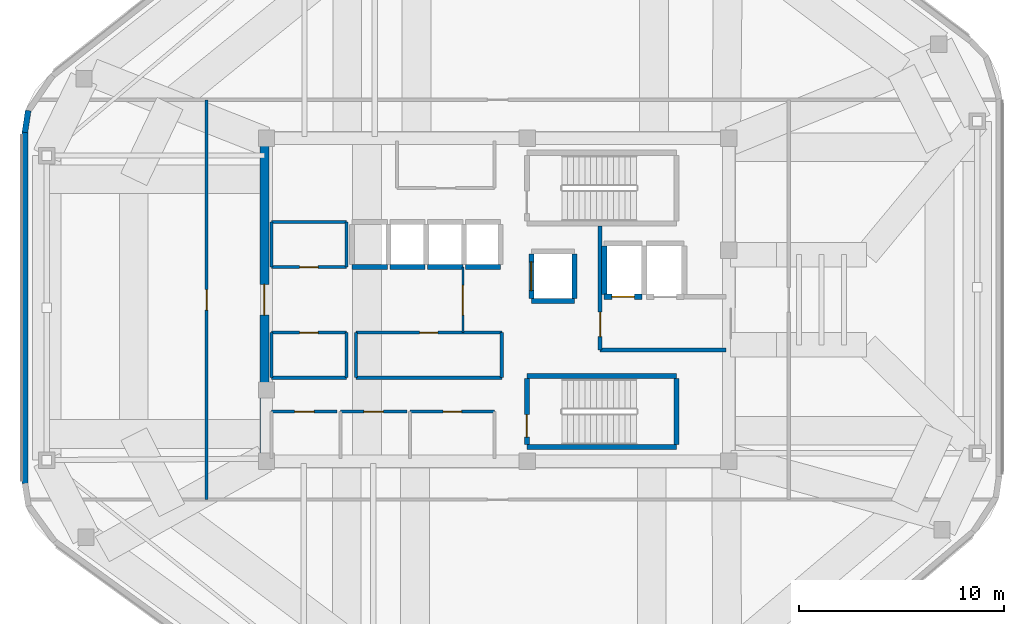
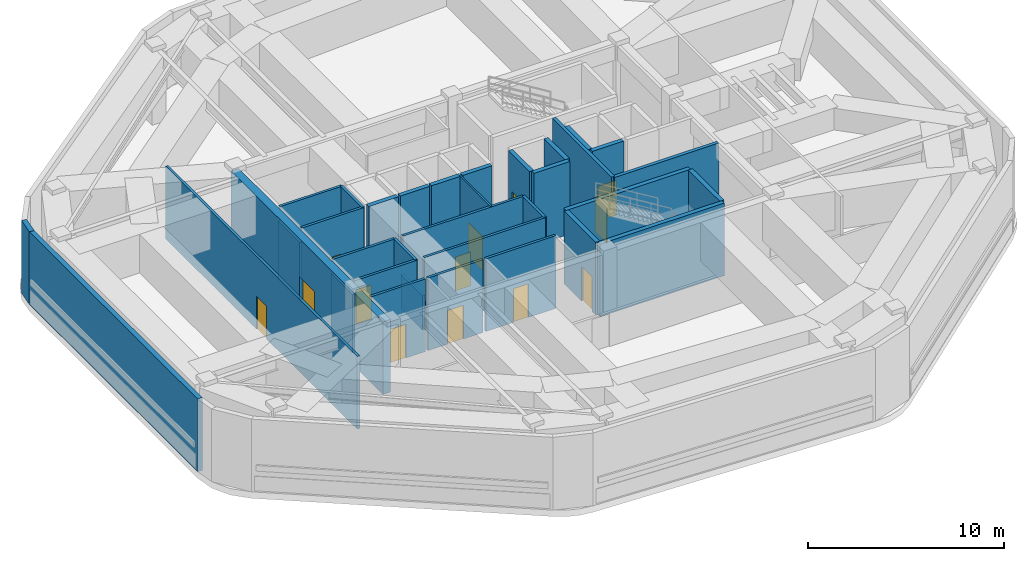
# One storey, part 3 of 7: 35 walls, 13 doors, 13 openings.
"""IFC4 building model written with IfcOpenShell, lengths in metres."""

from ifc_helpers import new_model, si_unit, direction, frame, frame_2d, origin, place, context, subcontext, project, spatial, rectangle, extrude, material, layer, layer_set, type_object, element, fill, save


model = new_model("IFC4")

# Units and contexts
model_context = context("Model", 3, precision=1e-05, world=origin(), true_north=direction((0.0, 1.0)))
body_context = subcontext(model_context, "Body", "Model", "MODEL_VIEW")
ifc_project = project(units=[si_unit("LENGTHUNIT", "METRE"), si_unit("AREAUNIT", "SQUARE_METRE"), si_unit("VOLUMEUNIT", "CUBIC_METRE"), si_unit("PLANEANGLEUNIT", "RADIAN"), si_unit("MASSUNIT", "GRAM", prefix="KILO")], contexts=[model_context])

# Site, building, storey
site_placement = place(None, origin())
site = spatial("IfcSite", under=ifc_project, at=site_placement, CompositionType="ELEMENT")
building_placement = place(site_placement, origin())
building = spatial("IfcBuilding", under=site, at=building_placement, Name="Zulverin Broadcast Headquarters", CompositionType="ELEMENT")
storey_placement = place(building_placement, frame((0.0, 0.0, 308.60009765625)))
storey = spatial("IfcBuildingStorey", under=building, at=storey_placement, Name="L79", CompositionType="ELEMENT", Elevation=308.60009765625)

# Wall, opening, door
ifc_material_1 = material(Name="Concrete C50/60", Category="concrete")
ifc_layer_1 = layer(ifc_material_1, 0.449951171875, Name="Concrete C50/60", Category="concrete")
ifc_layer_set_1 = layer_set([ifc_layer_1], Name="Concrete C50/60")
wall_type_1 = type_object("IfcWallType", Name="WL-CORE-450", PredefinedType="SHEAR", material=ifc_layer_set_1)
wall_1_placement = place(storey_placement, frame((25.625, 17.449951171875, 0.0), z_axis=(0.0, 0.0, 1.0), x_axis=(0.0, 1.0, 0.0)))
wall_1 = element("IfcWall", 1, at=wall_1_placement, inside=storey, type_object=wall_type_1, Name="L79 Core West Shear Wall", PredefinedType="SHEAR", context=body_context, shape_type="SweptSolid", body=[
    extrude(rectangle(XDim=15.5, YDim=0.449951171875, at=frame_2d((7.75, 0.0))), origin(), (0.0, 0.0, 1.0), 4.52001953125),
])
opening_1_placement = place(wall_1_placement, frame((7.0, 0.0, 0.0)))
opening_1 = element("IfcOpeningElement", 2, at=opening_1_placement, cuts=wall_1, Name="Opening D-L79-CW1", PredefinedType="OPENING", context=body_context, shape_type="SweptSolid", body=[
    extrude(rectangle(XDim=1.5, YDim=2.14990234375, at=frame_2d((0.75, 1.074951171875))), frame((0.0, 0.23486328125, 0.0), z_axis=(0.0, -1.0, 0.0), x_axis=(1.0, 0.0, 0.0)), (0.0, 0.0, 1.0), 0.469970703125),
])
ifc_material_2 = material(Name="Fire-rated glazed steel frame", Category="steel")
door_type_1 = type_object("IfcDoorType", Name="DR-COR-1500", OperationType="DOUBLE_DOOR_SINGLE_SWING", PredefinedType="DOOR", material=ifc_material_2)
door_1_placement = place(opening_1_placement, origin())
door_1 = element("IfcDoor", 3, at=door_1_placement, inside=storey, type_object=door_type_1, Name="L79 Central Lift Lobby West Portal Door", OperationType="DOUBLE_DOOR_SINGLE_SWING", OverallHeight=2.14990234375, OverallWidth=1.5, PredefinedType="DOOR", context=body_context, shape_type="SweptSolid", body=[
    extrude(rectangle(XDim=1.5, YDim=2.14990234375, at=frame_2d((0.75, 1.074951171875))), frame((0.0, 0.02490234375, 0.0), z_axis=(0.0, -1.0, 0.0), x_axis=(1.0, 0.0, 0.0)), (0.0, 0.0, 1.0), 0.050048828125),
])
fill(opening_1, door_1)

# Walls
ifc_material_3 = material(Name="Insulated pale-metal clad concrete spandrel C40/50", Category="concrete")
ifc_layer_2 = layer(ifc_material_3, 0.280029296875, Name="Insulated pale-metal clad concrete spandrel C40/50", Category="concrete")
ifc_layer_set_2 = layer_set([ifc_layer_2], Name="Insulated pale-metal clad concrete spandrel C40/50")
wall_type_2 = type_object("IfcWallType", Name="WL-EXT-280", PredefinedType="STANDARD", material=ifc_layer_set_2)
wall_2_placement = place(storey_placement, frame((13.93994140625, 33.385986328125, 0.0), z_axis=(0.0, 0.0, 1.0), x_axis=(0.0, -1.0, 0.0)))
element("IfcWall", 4, at=wall_2_placement, inside=storey, type_object=wall_type_2, Name="L79 Pale-Metal Clad Spandrel Wall 7", PredefinedType="STANDARD", context=body_context, shape_type="SweptSolid", body=[
    extrude(rectangle(XDim=17.15283203125, YDim=0.280029296875, at=frame_2d((8.576416015625, 0.0))), origin(), (0.0, 0.0, 1.0), 4.52001953125),
])
wall_3_placement = place(storey_placement, frame((14.100830078125, 34.4345703125, 0.0), z_axis=(0.0, 0.0, 1.0), x_axis=(-0.150072778638, -0.988674952202, 0.0)))
element("IfcWall", 5, at=wall_3_placement, inside=storey, type_object=wall_type_2, Name="L79 Wind-Shaped Corner Spandrel Wall 6-2", PredefinedType="STANDARD", context=body_context, shape_type="SweptSolid", body=[
    extrude(rectangle(XDim=1.081787109375, YDim=0.280029296875, at=frame_2d((0.541015625, 0.0))), origin(), (0.0, 0.0, 1.0), 4.52001953125),
])

# Wall, opening, door
ifc_material_4 = material(Name="Concrete C40/50", Category="concrete")
ifc_layer_3 = layer(ifc_material_4, 0.199951171875, Name="Concrete C40/50", Category="concrete")
ifc_layer_set_3 = layer_set([ifc_layer_3], Name="Concrete C40/50")
wall_type_3 = type_object("IfcWallType", Name="WL-FFL-200", PredefinedType="SOLIDWALL", material=ifc_layer_set_3)
wall_4_placement = place(storey_placement, frame((42.0, 22.75, 0.0), z_axis=(0.0, 0.0, 1.0), x_axis=(0.0, 1.0, 0.0)))
wall_4 = element("IfcWall", 6, at=wall_4_placement, inside=storey, type_object=wall_type_3, Name="L79 Firefighting Lift Lobby West Wall", PredefinedType="SOLIDWALL", context=body_context, shape_type="SweptSolid", body=[
    extrude(rectangle(XDim=6.050048828125, YDim=0.199951171875, at=frame_2d((3.02490234375, 0.0))), origin(), (0.0, 0.0, 1.0), 4.52001953125),
])
opening_2_placement = place(wall_4_placement, frame((0.64990234375, 0.0, 0.0)))
opening_2 = element("IfcOpeningElement", 7, at=opening_2_placement, cuts=wall_4, Name="Opening D-L79-FFLW", PredefinedType="OPENING", context=body_context, shape_type="SweptSolid", body=[
    extrude(rectangle(XDim=1.199951171875, YDim=2.14990234375, at=frame_2d((0.60009765625, 1.074951171875))), frame((0.0, 0.10986328125, 0.0), z_axis=(0.0, -1.0, 0.0), x_axis=(1.0, 0.0, 0.0)), (0.0, 0.0, 1.0), 0.219970703125),
])
ifc_material_5 = material(Name="Fire-rated steel leaf and frame", Category="steel")
door_type_2 = type_object("IfcDoorType", Name="DR-FFL-1200", OperationType="SINGLE_SWING_RIGHT", PredefinedType="DOOR", material=ifc_material_5)
door_2_placement = place(opening_2_placement, origin())
door_2 = element("IfcDoor", 8, at=door_2_placement, inside=storey, type_object=door_type_2, Name="L79 Firefighting Lift Lobby Door", OperationType="SINGLE_SWING_RIGHT", OverallHeight=2.14990234375, OverallWidth=1.199951171875, PredefinedType="DOOR", context=body_context, shape_type="SweptSolid", body=[
    extrude(rectangle(XDim=1.199951171875, YDim=2.14990234375, at=frame_2d((0.60009765625, 1.074951171875))), frame((0.0, 0.02490234375, 0.0), z_axis=(0.0, -1.0, 0.0), x_axis=(1.0, 0.0, 0.0)), (0.0, 0.0, 1.0), 0.050048828125),
])
fill(opening_2, door_2)

# Wall
wall_5_placement = place(storey_placement, frame((42.0, 22.75, 0.0), z_axis=(0.0, 0.0, 1.0), x_axis=(1.0, 0.0, 0.0)))
element("IfcWall", 9, at=wall_5_placement, inside=storey, type_object=wall_type_3, Name="L79 Firefighting Lift Lobby South Wall", PredefinedType="SOLIDWALL", context=body_context, shape_type="SweptSolid", body=[
    extrude(rectangle(XDim=6.14990234375, YDim=0.199951171875, at=frame_2d((3.074951171875, 0.0))), origin(), (0.0, 0.0, 1.0), 4.52001953125),
])

# Wall, opening, door
ifc_material_6 = material(Name="Fire-rated acoustic laminated glass screen", Category="glass")
ifc_layer_4 = layer(ifc_material_6, 0.10009765625, Name="Fire-rated acoustic laminated glass screen", Category="glass")
ifc_layer_set_4 = layer_set([ifc_layer_4], Name="Fire-rated acoustic laminated glass screen")
wall_type_4 = type_object("IfcWallType", Name="WL-GLAZ-100", PredefinedType="PARTITIONING", material=ifc_layer_set_4)
wall_6_placement = place(storey_placement, frame((35.300048828125, 23.60009765625, 0.0), z_axis=(0.0, 0.0, 1.0), x_axis=(0.0, 1.0, 0.0)))
wall_6 = element("IfcWall", 10, at=wall_6_placement, inside=storey, type_object=wall_type_4, Name="L79 Central Core Smoke Vestibule Screen", PredefinedType="PARTITIONING", context=body_context, shape_type="SweptSolid", body=[
    extrude(rectangle(XDim=3.199951171875, YDim=0.10009765625, at=frame_2d((1.60009765625, 0.0))), origin(), (0.0, 0.0, 1.0), 4.52001953125),
])
opening_3_placement = place(wall_6_placement, frame((0.85009765625, 0.0, 0.0)))
opening_3 = element("IfcOpeningElement", 11, at=opening_3_placement, cuts=wall_6, Name="Opening D-L79-CL2", PredefinedType="OPENING", context=body_context, shape_type="SweptSolid", body=[
    extrude(rectangle(XDim=1.449951171875, YDim=2.1201171875, at=frame_2d((0.72509765625, 1.06005859375))), frame((0.0, 0.06005859375, 0.0), z_axis=(0.0, -1.0, 0.0), x_axis=(1.0, 0.0, 0.0)), (0.0, 0.0, 1.0), 0.1201171875),
])
ifc_material_7 = material(Name="Fire-rated acoustic glazed double leaf", Category="glass")
door_type_3 = type_object("IfcDoorType", Name="DR-GLZ-1450", OperationType="DOUBLE_DOOR_SINGLE_SWING", PredefinedType="DOOR", material=ifc_material_7)
door_3_placement = place(opening_3_placement, origin())
door_3 = element("IfcDoor", 12, at=door_3_placement, inside=storey, type_object=door_type_3, Name="L79 Central Core Smoke Vestibule Door", OperationType="DOUBLE_DOOR_SINGLE_SWING", OverallHeight=2.1201171875, OverallWidth=1.449951171875, PredefinedType="DOOR", context=body_context, shape_type="SweptSolid", body=[
    extrude(rectangle(XDim=1.449951171875, YDim=2.1201171875, at=frame_2d((0.72509765625, 1.06005859375))), frame((0.0, 0.02490234375, 0.0), z_axis=(0.0, -1.0, 0.0), x_axis=(1.0, 0.0, 0.0)), (0.0, 0.0, 1.0), 0.050048828125),
])
fill(opening_3, door_3)

ifc_material_8 = material(Name="Fire-rated gypsum stud partition", Category="gypsum")
ifc_layer_5 = layer(ifc_material_8, 0.14990234375, Name="Fire-rated gypsum stud partition", Category="gypsum")
ifc_layer_set_5 = layer_set([ifc_layer_5], Name="Fire-rated gypsum stud partition")
wall_type_5 = type_object("IfcWallType", Name="WL-PART-150", PredefinedType="PARTITIONING", material=ifc_layer_set_5)
wall_7_placement = place(storey_placement, frame((25.969970703125, 19.75, 0.0), z_axis=(0.0, 0.0, 1.0), x_axis=(1.0, 0.0, 0.0)))
wall_7 = element("IfcWall", 13, at=wall_7_placement, inside=storey, type_object=wall_type_5, Name="L79 Core Male WC Front Wall", PredefinedType="PARTITIONING", context=body_context, shape_type="SweptSolid", body=[
    extrude(rectangle(XDim=3.199951171875, YDim=0.14990234375, at=frame_2d((1.60009765625, 0.0))), origin(), (0.0, 0.0, 1.0), 4.52001953125),
])
opening_4_placement = place(wall_7_placement, frame((1.125, 0.0, 0.0)))
opening_4 = element("IfcOpeningElement", 14, at=opening_4_placement, cuts=wall_7, Name="Opening D-L79-SC1", PredefinedType="OPENING", context=body_context, shape_type="SweptSolid", body=[
    extrude(rectangle(XDim=0.949951171875, YDim=2.10009765625, at=frame_2d((0.47509765625, 1.050048828125))), frame((0.0, 0.0849609375, 0.0), z_axis=(0.0, -1.0, 0.0), x_axis=(1.0, 0.0, 0.0)), (0.0, 0.0, 1.0), 0.169921875),
])
ifc_material_9 = material(Name="Fire-rated moisture-resistant laminate leaf", Category="wood")
door_type_4 = type_object("IfcDoorType", Name="DR-WC-950", OperationType="SINGLE_SWING_LEFT", PredefinedType="DOOR", material=ifc_material_9)
door_4_placement = place(opening_4_placement, origin())
door_4 = element("IfcDoor", 15, at=door_4_placement, inside=storey, type_object=door_type_4, Name="L79 Male WC Door", OperationType="SINGLE_SWING_RIGHT", OverallHeight=2.10009765625, OverallWidth=0.949951171875, PredefinedType="DOOR", context=body_context, shape_type="SweptSolid", body=[
    extrude(rectangle(XDim=0.949951171875, YDim=2.10009765625, at=frame_2d((0.47509765625, 1.050048828125))), frame((0.0, 0.02490234375, 0.0), z_axis=(0.0, -1.0, 0.0), x_axis=(1.0, 0.0, 0.0)), (0.0, 0.0, 1.0), 0.050048828125),
])
fill(opening_4, door_4)

wall_8_placement = place(storey_placement, frame((29.330078125, 19.75, 0.0), z_axis=(0.0, 0.0, 1.0), x_axis=(1.0, 0.0, 0.0)))
wall_8 = element("IfcWall", 16, at=wall_8_placement, inside=storey, type_object=wall_type_5, Name="L79 Core Female WC Front Wall", PredefinedType="PARTITIONING", context=body_context, shape_type="SweptSolid", body=[
    extrude(rectangle(XDim=3.239990234375, YDim=0.14990234375, at=frame_2d((1.6201171875, 0.0))), origin(), (0.0, 0.0, 1.0), 4.52001953125),
])
opening_5_placement = place(wall_8_placement, frame((1.14501953125, 0.0, 0.0)))
opening_5 = element("IfcOpeningElement", 17, at=opening_5_placement, cuts=wall_8, Name="Opening D-L79-SC2", PredefinedType="OPENING", context=body_context, shape_type="SweptSolid", body=[
    extrude(rectangle(XDim=0.949951171875, YDim=2.10009765625, at=frame_2d((0.47509765625, 1.050048828125))), frame((0.0, 0.0849609375, 0.0), z_axis=(0.0, -1.0, 0.0), x_axis=(1.0, 0.0, 0.0)), (0.0, 0.0, 1.0), 0.169921875),
])
door_5_placement = place(opening_5_placement, origin())
door_5 = element("IfcDoor", 18, at=door_5_placement, inside=storey, type_object=door_type_4, Name="L79 Female WC Door", OperationType="SINGLE_SWING_LEFT", OverallHeight=2.10009765625, OverallWidth=0.949951171875, PredefinedType="DOOR", context=body_context, shape_type="SweptSolid", body=[
    extrude(rectangle(XDim=0.949951171875, YDim=2.10009765625, at=frame_2d((0.47509765625, 1.050048828125))), frame((0.0, 0.02490234375, 0.0), z_axis=(0.0, -1.0, 0.0), x_axis=(1.0, 0.0, 0.0)), (0.0, 0.0, 1.0), 0.050048828125),
])
fill(opening_5, door_5)

wall_9_placement = place(storey_placement, frame((32.72998046875, 19.75, 0.0), z_axis=(0.0, 0.0, 1.0), x_axis=(1.0, 0.0, 0.0)))
wall_9 = element("IfcWall", 19, at=wall_9_placement, inside=storey, type_object=wall_type_5, Name="L79 Core Cleaner Store Front Wall", PredefinedType="PARTITIONING", context=body_context, shape_type="SweptSolid", body=[
    extrude(rectangle(XDim=4.1201171875, YDim=0.14990234375, at=frame_2d((2.06005859375, 0.0))), origin(), (0.0, 0.0, 1.0), 4.52001953125),
])
opening_6_placement = place(wall_9_placement, frame((1.610107421875, 0.0, 0.0)))
opening_6 = element("IfcOpeningElement", 20, at=opening_6_placement, cuts=wall_9, Name="Opening D-L79-SC3", PredefinedType="OPENING", context=body_context, shape_type="SweptSolid", body=[
    extrude(rectangle(XDim=0.89990234375, YDim=2.10009765625, at=frame_2d((0.449951171875, 1.050048828125))), frame((0.0, 0.0849609375, 0.0), z_axis=(0.0, -1.0, 0.0), x_axis=(1.0, 0.0, 0.0)), (0.0, 0.0, 1.0), 0.169921875),
])
ifc_material_10 = material(Name="Powder-coated steel access leaf", Category="steel")
door_type_5 = type_object("IfcDoorType", Name="DR-RISER-900", OperationType="SINGLE_SWING_LEFT", PredefinedType="DOOR", material=ifc_material_10)
door_6_placement = place(opening_6_placement, origin())
door_6 = element("IfcDoor", 21, at=door_6_placement, inside=storey, type_object=door_type_5, Name="L79 Cleaner Store Door", OperationType="SINGLE_SWING_RIGHT", OverallHeight=2.10009765625, OverallWidth=0.89990234375, PredefinedType="DOOR", context=body_context, shape_type="SweptSolid", body=[
    extrude(rectangle(XDim=0.89990234375, YDim=2.10009765625, at=frame_2d((0.449951171875, 1.050048828125))), frame((0.0, 0.02490234375, 0.0), z_axis=(0.0, -1.0, 0.0), x_axis=(1.0, 0.0, 0.0)), (0.0, 0.0, 1.0), 0.050048828125),
])
fill(opening_6, door_6)

wall_10_placement = place(storey_placement, frame((25.969970703125, 26.800048828125, 0.0), z_axis=(0.0, 0.0, 1.0), x_axis=(1.0, 0.0, 0.0)))
wall_10 = element("IfcWall", 22, at=wall_10_placement, inside=storey, type_object=wall_type_5, Name="L79 Broadcast Signal Patch Room S Wall", PredefinedType="PARTITIONING", context=body_context, shape_type="SweptSolid", body=[
    extrude(rectangle(XDim=3.650146484375, YDim=0.14990234375, at=frame_2d((1.8251953125, 0.0))), origin(), (0.0, 0.0, 1.0), 4.52001953125),
])
opening_7_placement = place(wall_10_placement, frame((1.375, 0.0, 0.0)))
opening_7 = element("IfcOpeningElement", 23, at=opening_7_placement, cuts=wall_10, Name="Opening D-L79-RCLN", PredefinedType="OPENING", context=body_context, shape_type="SweptSolid", body=[
    extrude(rectangle(XDim=0.89990234375, YDim=2.10009765625, at=frame_2d((0.449951171875, 1.050048828125))), frame((0.0, 0.0849609375, 0.0), z_axis=(0.0, -1.0, 0.0), x_axis=(1.0, 0.0, 0.0)), (0.0, 0.0, 1.0), 0.169921875),
])
door_7_placement = place(opening_7_placement, origin())
door_7 = element("IfcDoor", 24, at=door_7_placement, inside=storey, type_object=door_type_5, Name="L79 Broadcast Signal Patch Room Door", OperationType="SINGLE_SWING_LEFT", OverallHeight=2.10009765625, OverallWidth=0.89990234375, PredefinedType="DOOR", context=body_context, shape_type="SweptSolid", body=[
    extrude(rectangle(XDim=0.89990234375, YDim=2.10009765625, at=frame_2d((0.449951171875, 1.050048828125))), frame((0.0, 0.02490234375, 0.0), z_axis=(0.0, -1.0, 0.0), x_axis=(1.0, 0.0, 0.0)), (0.0, 0.0, 1.0), 0.050048828125),
])
fill(opening_7, door_7)

# Walls
wall_11_placement = place(storey_placement, frame((25.969970703125, 29.0, 0.0), z_axis=(0.0, 0.0, 1.0), x_axis=(1.0, 0.0, 0.0)))
element("IfcWall", 25, at=wall_11_placement, inside=storey, type_object=wall_type_5, Name="L79 Broadcast Signal Patch Room N Wall", PredefinedType="PARTITIONING", context=body_context, shape_type="SweptSolid", body=[
    extrude(rectangle(XDim=3.650146484375, YDim=0.14990234375, at=frame_2d((1.8251953125, 0.0))), origin(), (0.0, 0.0, 1.0), 4.52001953125),
])
wall_12_placement = place(storey_placement, frame((25.969970703125, 26.800048828125, 0.0), z_axis=(0.0, 0.0, 1.0), x_axis=(0.0, 1.0, 0.0)))
element("IfcWall", 26, at=wall_12_placement, inside=storey, type_object=wall_type_5, Name="L79 Broadcast Signal Patch Room W Wall", PredefinedType="PARTITIONING", context=body_context, shape_type="SweptSolid", body=[
    extrude(rectangle(XDim=2.199951171875, YDim=0.14990234375, at=frame_2d((1.10009765625, 0.0))), origin(), (0.0, 0.0, 1.0), 3.619873046875),
])
wall_13_placement = place(storey_placement, frame((29.6201171875, 26.800048828125, 0.0), z_axis=(0.0, 0.0, 1.0), x_axis=(0.0, 1.0, 0.0)))
element("IfcWall", 27, at=wall_13_placement, inside=storey, type_object=wall_type_5, Name="L79 Broadcast Signal Patch Room E Wall", PredefinedType="PARTITIONING", context=body_context, shape_type="SweptSolid", body=[
    extrude(rectangle(XDim=2.199951171875, YDim=0.14990234375, at=frame_2d((1.10009765625, 0.0))), origin(), (0.0, 0.0, 1.0), 4.52001953125),
])
wall_14_placement = place(storey_placement, frame((25.969970703125, 21.39990234375, 0.0), z_axis=(0.0, 0.0, 1.0), x_axis=(1.0, 0.0, 0.0)))
element("IfcWall", 28, at=wall_14_placement, inside=storey, type_object=wall_type_5, Name="L79 Housekeeping Equipment Store S Wall", PredefinedType="PARTITIONING", context=body_context, shape_type="SweptSolid", body=[
    extrude(rectangle(XDim=3.650146484375, YDim=0.14990234375, at=frame_2d((1.8251953125, 0.0))), origin(), (0.0, 0.0, 1.0), 4.52001953125),
])

# Wall, opening, door
wall_15_placement = place(storey_placement, frame((25.969970703125, 23.60009765625, 0.0), z_axis=(0.0, 0.0, 1.0), x_axis=(1.0, 0.0, 0.0)))
wall_15 = element("IfcWall", 29, at=wall_15_placement, inside=storey, type_object=wall_type_5, Name="L79 Housekeeping Equipment Store N Wall", PredefinedType="PARTITIONING", context=body_context, shape_type="SweptSolid", body=[
    extrude(rectangle(XDim=3.650146484375, YDim=0.14990234375, at=frame_2d((1.8251953125, 0.0))), origin(), (0.0, 0.0, 1.0), 4.52001953125),
])
opening_8_placement = place(wall_15_placement, frame((1.375, 0.0, 0.0)))
opening_8 = element("IfcOpeningElement", 30, at=opening_8_placement, cuts=wall_15, Name="Opening D-L79-RCLS", PredefinedType="OPENING", context=body_context, shape_type="SweptSolid", body=[
    extrude(rectangle(XDim=0.89990234375, YDim=2.10009765625, at=frame_2d((0.449951171875, 1.050048828125))), frame((0.0, 0.0849609375, 0.0), z_axis=(0.0, -1.0, 0.0), x_axis=(1.0, 0.0, 0.0)), (0.0, 0.0, 1.0), 0.169921875),
])
door_8_placement = place(opening_8_placement, origin())
door_8 = element("IfcDoor", 31, at=door_8_placement, inside=storey, type_object=door_type_5, Name="L79 Housekeeping Equipment Store Door", OperationType="SINGLE_SWING_RIGHT", OverallHeight=2.10009765625, OverallWidth=0.89990234375, PredefinedType="DOOR", context=body_context, shape_type="SweptSolid", body=[
    extrude(rectangle(XDim=0.89990234375, YDim=2.10009765625, at=frame_2d((0.449951171875, 1.050048828125))), frame((0.0, 0.02490234375, 0.0), z_axis=(0.0, -1.0, 0.0), x_axis=(1.0, 0.0, 0.0)), (0.0, 0.0, 1.0), 0.050048828125),
])
fill(opening_8, door_8)

# Walls
wall_16_placement = place(storey_placement, frame((25.969970703125, 21.39990234375, 0.0), z_axis=(0.0, 0.0, 1.0), x_axis=(0.0, 1.0, 0.0)))
element("IfcWall", 32, at=wall_16_placement, inside=storey, type_object=wall_type_5, Name="L79 Housekeeping Equipment Store W Wall", PredefinedType="PARTITIONING", context=body_context, shape_type="SweptSolid", body=[
    extrude(rectangle(XDim=2.2001953125, YDim=0.14990234375, at=frame_2d((1.10009765625, 0.0))), origin(), (0.0, 0.0, 1.0), 3.619873046875),
])
wall_17_placement = place(storey_placement, frame((29.6201171875, 21.39990234375, 0.0), z_axis=(0.0, 0.0, 1.0), x_axis=(0.0, 1.0, 0.0)))
element("IfcWall", 33, at=wall_17_placement, inside=storey, type_object=wall_type_5, Name="L79 Housekeeping Equipment Store E Wall", PredefinedType="PARTITIONING", context=body_context, shape_type="SweptSolid", body=[
    extrude(rectangle(XDim=2.2001953125, YDim=0.14990234375, at=frame_2d((1.10009765625, 0.0))), origin(), (0.0, 0.0, 1.0), 4.52001953125),
])
wall_18_placement = place(storey_placement, frame((30.080078125, 21.39990234375, 0.0), z_axis=(0.0, 0.0, 1.0), x_axis=(1.0, 0.0, 0.0)))
element("IfcWall", 34, at=wall_18_placement, inside=storey, type_object=wall_type_5, Name="L79 Optical Telemetry Hub Room S Wall", PredefinedType="PARTITIONING", context=body_context, shape_type="SweptSolid", body=[
    extrude(rectangle(XDim=7.119873046875, YDim=0.14990234375, at=frame_2d((3.56005859375, 0.0))), origin(), (0.0, 0.0, 1.0), 4.52001953125),
])

# Wall, opening, door
wall_19_placement = place(storey_placement, frame((30.080078125, 23.60009765625, 0.0), z_axis=(0.0, 0.0, 1.0), x_axis=(1.0, 0.0, 0.0)))
wall_19 = element("IfcWall", 35, at=wall_19_placement, inside=storey, type_object=wall_type_5, Name="L79 Optical Telemetry Hub Room N Wall", PredefinedType="PARTITIONING", context=body_context, shape_type="SweptSolid", body=[
    extrude(rectangle(XDim=7.119873046875, YDim=0.14990234375, at=frame_2d((3.56005859375, 0.0))), origin(), (0.0, 0.0, 1.0), 4.52001953125),
])
opening_9_placement = place(wall_19_placement, frame((3.110107421875, 0.0, 0.0)))
opening_9 = element("IfcOpeningElement", 36, at=opening_9_placement, cuts=wall_19, Name="Opening D-L79-RM1", PredefinedType="OPENING", context=body_context, shape_type="SweptSolid", body=[
    extrude(rectangle(XDim=0.89990234375, YDim=2.10009765625, at=frame_2d((0.449951171875, 1.050048828125))), frame((0.0, 0.0849609375, 0.0), z_axis=(0.0, -1.0, 0.0), x_axis=(1.0, 0.0, 0.0)), (0.0, 0.0, 1.0), 0.169921875),
])
door_9_placement = place(opening_9_placement, origin())
door_9 = element("IfcDoor", 37, at=door_9_placement, inside=storey, type_object=door_type_5, Name="L79 Optical Telemetry Hub Room Door", OperationType="SINGLE_SWING_LEFT", OverallHeight=2.10009765625, OverallWidth=0.89990234375, PredefinedType="DOOR", context=body_context, shape_type="SweptSolid", body=[
    extrude(rectangle(XDim=0.89990234375, YDim=2.10009765625, at=frame_2d((0.449951171875, 1.050048828125))), frame((0.0, 0.02490234375, 0.0), z_axis=(0.0, -1.0, 0.0), x_axis=(1.0, 0.0, 0.0)), (0.0, 0.0, 1.0), 0.050048828125),
])
fill(opening_9, door_9)

# Walls
wall_20_placement = place(storey_placement, frame((30.080078125, 21.39990234375, 0.0), z_axis=(0.0, 0.0, 1.0), x_axis=(0.0, 1.0, 0.0)))
element("IfcWall", 38, at=wall_20_placement, inside=storey, type_object=wall_type_5, Name="L79 Optical Telemetry Hub Room W Wall", PredefinedType="PARTITIONING", context=body_context, shape_type="SweptSolid", body=[
    extrude(rectangle(XDim=2.2001953125, YDim=0.14990234375, at=frame_2d((1.10009765625, 0.0))), origin(), (0.0, 0.0, 1.0), 2.119873046875),
])
wall_21_placement = place(storey_placement, frame((37.199951171875, 21.39990234375, 0.0), z_axis=(0.0, 0.0, 1.0), x_axis=(0.0, 1.0, 0.0)))
element("IfcWall", 39, at=wall_21_placement, inside=storey, type_object=wall_type_5, Name="L79 Optical Telemetry Hub Room E Wall", PredefinedType="PARTITIONING", context=body_context, shape_type="SweptSolid", body=[
    extrude(rectangle(XDim=2.2001953125, YDim=0.14990234375, at=frame_2d((1.10009765625, 0.0))), origin(), (0.0, 0.0, 1.0), 4.52001953125),
])

# Wall, opening, door
wall_22_placement = place(storey_placement, frame((22.800048828125, 15.449951171875, 0.0), z_axis=(0.0, 0.0, 1.0), x_axis=(0.0, 1.0, 0.0)))
wall_22 = element("IfcWall", 40, at=wall_22_placement, inside=storey, type_object=wall_type_5, Name="L79 Gallery Partition Wall CG-02", PredefinedType="PARTITIONING", context=body_context, shape_type="SweptSolid", body=[
    extrude(rectangle(XDim=19.5, YDim=0.14990234375, at=frame_2d((9.75, 0.0))), origin(), (0.0, 0.0, 1.0), 4.52001953125),
])
opening_10_placement = place(wall_22_placement, frame((9.25, 0.0, 0.0)))
opening_10 = element("IfcOpeningElement", 41, at=opening_10_placement, cuts=wall_22, Name="Opening D-L79-ELE", PredefinedType="OPENING", context=body_context, shape_type="SweptSolid", body=[
    extrude(rectangle(XDim=1.0, YDim=2.0400390625, at=frame_2d((0.5, 1.02001953125))), frame((0.0, 0.0849609375, 0.0), z_axis=(0.0, -1.0, 0.0), x_axis=(1.0, 0.0, 0.0)), (0.0, 0.0, 1.0), 0.169921875),
])
ifc_material_11 = material(Name="Fire-rated steel plant room leaf", Category="steel")
door_type_6 = type_object("IfcDoorType", Name="DR-PLT-2040", OperationType="SINGLE_SWING_LEFT", PredefinedType="DOOR", material=ifc_material_11)
door_10_placement = place(opening_10_placement, origin())
door_10 = element("IfcDoor", 42, at=door_10_placement, inside=storey, type_object=door_type_6, Name="L79 High-Voltage Transformer & UPS Plant Room Door", OperationType="SINGLE_SWING_LEFT", OverallHeight=2.0400390625, OverallWidth=1.0, PredefinedType="DOOR", context=body_context, shape_type="SweptSolid", body=[
    extrude(rectangle(XDim=1.0, YDim=2.0400390625, at=frame_2d((0.5, 1.02001953125))), frame((0.0, 0.02490234375, 0.0), z_axis=(0.0, -1.0, 0.0), x_axis=(1.0, 0.0, 0.0)), (0.0, 0.0, 1.0), 0.050048828125),
])
fill(opening_10, door_10)

# Walls
ifc_layer_6 = layer(ifc_material_1, 0.25, Name="Concrete C50/60", Category="concrete")
ifc_layer_set_6 = layer_set([ifc_layer_6], Name="Concrete C50/60")
wall_type_6 = type_object("IfcWallType", Name="WL-SHAFT-250", PredefinedType="SHEAR", material=ifc_layer_set_6)
for number, where, z_axis, x_axis, name in (
    (43, (38.425048828125, 18.02490234375, 0.0), (0.0, 0.0, 1.0), (1.0, 0.0, 0.0), "L79 ST-2 Enclosure Wall S"),
    (44, (38.425048828125, 21.47509765625, 0.0), (0.0, 0.0, 1.0), (1.0, 0.0, 0.0), "L79 ST-2 Enclosure Wall N"),
):
    element("IfcWall", number, at=place(storey_placement, frame(where, z_axis=z_axis, x_axis=x_axis)), inside=storey, type_object=wall_type_6, Name=name, PredefinedType="SHEAR", context=body_context, shape_type="SweptSolid", body=[
        extrude(rectangle(XDim=7.300048828125, YDim=0.25, at=frame_2d((3.64990234375, 0.0))), origin(), (0.0, 0.0, 1.0), 4.52001953125),
    ])

# Wall, opening, door
wall_23_placement = place(storey_placement, frame((38.425048828125, 18.14990234375, 0.0), z_axis=(0.0, 0.0, 1.0), x_axis=(0.0, 1.0, 0.0)))
wall_23 = element("IfcWall", 45, at=wall_23_placement, inside=storey, type_object=wall_type_6, Name="L79 ST-2 Enclosure Wall W", PredefinedType="SHEAR", context=body_context, shape_type="SweptSolid", body=[
    extrude(rectangle(XDim=3.2001953125, YDim=0.25, at=frame_2d((1.60009765625, 0.0))), origin(), (0.0, 0.0, 1.0), 4.52001953125),
])
opening_11_placement = place(wall_23_placement, frame((0.35009765625, 0.0, 0.0)))
opening_11 = element("IfcOpeningElement", 46, at=opening_11_placement, cuts=wall_23, Name="Opening D-L79-ST-2", PredefinedType="OPENING", context=body_context, shape_type="SweptSolid", body=[
    extrude(rectangle(XDim=1.10009765625, YDim=2.14990234375, at=frame_2d((0.550048828125, 1.074951171875))), frame((0.0, 0.135009765625, 0.0), z_axis=(0.0, -1.0, 0.0), x_axis=(1.0, 0.0, 0.0)), (0.0, 0.0, 1.0), 0.27001953125),
])
door_type_7 = type_object("IfcDoorType", Name="DR-STAIR-1100", OperationType="SINGLE_SWING_LEFT", PredefinedType="DOOR", material=ifc_material_5)
door_11_placement = place(opening_11_placement, origin())
door_11 = element("IfcDoor", 47, at=door_11_placement, inside=storey, type_object=door_type_7, Name="L79 Exit Stair ST-2 Fire Door", OperationType="SINGLE_SWING_RIGHT", OverallHeight=2.14990234375, OverallWidth=1.10009765625, PredefinedType="DOOR", context=body_context, shape_type="SweptSolid", body=[
    extrude(rectangle(XDim=1.10009765625, YDim=2.14990234375, at=frame_2d((0.550048828125, 1.074951171875))), frame((0.0, 0.02490234375, 0.0), z_axis=(0.0, -1.0, 0.0), x_axis=(1.0, 0.0, 0.0)), (0.0, 0.0, 1.0), 0.050048828125),
])
fill(opening_11, door_11)

# Walls
wall_24_placement = place(storey_placement, frame((45.72509765625, 18.14990234375, 0.0), z_axis=(0.0, 0.0, 1.0), x_axis=(0.0, 1.0, 0.0)))
element("IfcWall", 48, at=wall_24_placement, inside=storey, type_object=wall_type_6, Name="L79 ST-2 Enclosure Wall E", PredefinedType="SHEAR", context=body_context, shape_type="SweptSolid", body=[
    extrude(rectangle(XDim=3.2001953125, YDim=0.25, at=frame_2d((1.60009765625, 0.0))), origin(), (0.0, 0.0, 1.0), 4.52001953125),
])
wall_25_placement = place(storey_placement, frame((29.89990234375, 26.800048828125, 0.0), z_axis=(0.0, 0.0, 1.0), x_axis=(1.0, 0.0, 0.0)))
element("IfcWall", 49, at=wall_25_placement, inside=storey, type_object=wall_type_6, Name="L79 Lift PL-H1 Shaft Wall S", PredefinedType="SHEAR", context=body_context, shape_type="SweptSolid", body=[
    extrude(rectangle(XDim=1.72021484375, YDim=0.25, at=frame_2d((0.860107421875, 0.0))), origin(), (0.0, 0.0, 1.0), 4.52001953125),
])
for number, where, z_axis, x_axis, name in (
    (50, (31.739990234375, 26.800048828125, 0.0), (0.0, 0.0, 1.0), (1.0, 0.0, 0.0), "L79 Lift PL-H2 Shaft Wall S"),
    (51, (33.580078125, 26.800048828125, 0.0), (0.0, 0.0, 1.0), (1.0, 0.0, 0.0), "L79 Lift PL-H3 Shaft Wall S"),
    (52, (35.419921875, 26.800048828125, 0.0), (0.0, 0.0, 1.0), (1.0, 0.0, 0.0), "L79 Lift PL-H4 Shaft Wall S"),
):
    element("IfcWall", number, at=place(storey_placement, frame(where, z_axis=z_axis, x_axis=x_axis)), inside=storey, type_object=wall_type_6, Name=name, PredefinedType="SHEAR", context=body_context, shape_type="SweptSolid", body=[
        extrude(rectangle(XDim=1.719970703125, YDim=0.25, at=frame_2d((0.85986328125, 0.0))), origin(), (0.0, 0.0, 1.0), 4.52001953125),
    ])

# Wall, opening, door
wall_26_placement = place(storey_placement, frame((42.199951171875, 25.35009765625, 0.0), z_axis=(0.0, 0.0, 1.0), x_axis=(1.0, 0.0, 0.0)))
wall_26 = element("IfcWall", 53, at=wall_26_placement, inside=storey, type_object=wall_type_6, Name="L79 Lift FFL-1 Shaft Wall S", PredefinedType="SHEAR", context=body_context, shape_type="SweptSolid", body=[
    extrude(rectangle(XDim=1.85009765625, YDim=0.25, at=frame_2d((0.925048828125, 0.0))), origin(), (0.0, 0.0, 1.0), 4.52001953125),
])
opening_12_placement = place(wall_26_placement, frame((0.375, 0.0, 0.0)))
opening_12 = element("IfcOpeningElement", 54, at=opening_12_placement, cuts=wall_26, Name="Opening LD-FFL-1-L79", PredefinedType="OPENING", context=body_context, shape_type="SweptSolid", body=[
    extrude(rectangle(XDim=1.10009765625, YDim=2.14990234375, at=frame_2d((0.550048828125, 1.074951171875))), frame((0.0, 0.135009765625, 0.0), z_axis=(0.0, -1.0, 0.0), x_axis=(1.0, 0.0, 0.0)), (0.0, 0.0, 1.0), 0.27001953125),
])
ifc_material_12 = material(Name="Fire-rated stainless landing door", Category="steel")
door_type_8 = type_object("IfcDoorType", Name="LD-FFL-1100", OperationType="DOUBLE_DOOR_SLIDING", PredefinedType="DOOR", material=ifc_material_12)
door_12_placement = place(opening_12_placement, origin())
door_12 = element("IfcDoor", 55, at=door_12_placement, inside=storey, type_object=door_type_8, Name="L79 Lift FFL-1 Sliding Landing Door", OperationType="DOUBLE_DOOR_SLIDING", OverallHeight=2.14990234375, OverallWidth=1.10009765625, PredefinedType="DOOR", context=body_context, shape_type="SweptSolid", body=[
    extrude(rectangle(XDim=1.10009765625, YDim=2.14990234375, at=frame_2d((0.550048828125, 1.074951171875))), frame((0.0, 0.02490234375, 0.0), z_axis=(0.0, -1.0, 0.0), x_axis=(1.0, 0.0, 0.0)), (0.0, 0.0, 1.0), 0.050048828125),
])
fill(opening_12, door_12)

# Walls
wall_27_placement = place(storey_placement, frame((42.199951171875, 25.469970703125, 0.0), z_axis=(0.0, 0.0, 1.0), x_axis=(0.0, 1.0, 0.0)))
element("IfcWall", 56, at=wall_27_placement, inside=storey, type_object=wall_type_6, Name="L79 Lift FFL-1 Shaft Wall W", PredefinedType="SHEAR", context=body_context, shape_type="SweptSolid", body=[
    extrude(rectangle(XDim=2.360107421875, YDim=0.25, at=frame_2d((1.18017578125, 0.0))), origin(), (0.0, 0.0, 1.0), 4.52001953125),
])
wall_28_placement = place(storey_placement, frame((38.64990234375, 25.14990234375, 0.0), z_axis=(0.0, 0.0, 1.0), x_axis=(1.0, 0.0, 0.0)))
element("IfcWall", 57, at=wall_28_placement, inside=storey, type_object=wall_type_6, Name="L79 Lift SVL-1 Shaft Wall S", PredefinedType="SHEAR", context=body_context, shape_type="SweptSolid", body=[
    extrude(rectangle(XDim=2.10009765625, YDim=0.25, at=frame_2d((1.050048828125, 0.0))), origin(), (0.0, 0.0, 1.0), 4.52001953125),
])

# Wall, opening, door
wall_29_placement = place(storey_placement, frame((38.64990234375, 25.27001953125, 0.0), z_axis=(0.0, 0.0, 1.0), x_axis=(0.0, 1.0, 0.0)))
wall_29 = element("IfcWall", 58, at=wall_29_placement, inside=storey, type_object=wall_type_6, Name="L79 Lift SVL-1 Shaft Wall W", PredefinedType="SHEAR", context=body_context, shape_type="SweptSolid", body=[
    extrude(rectangle(XDim=2.159912109375, YDim=0.25, at=frame_2d((1.080078125, 0.0))), origin(), (0.0, 0.0, 1.0), 4.52001953125),
])
opening_13_placement = place(wall_29_placement, frame((0.3798828125, 0.0, 0.0)))
opening_13 = element("IfcOpeningElement", 59, at=opening_13_placement, cuts=wall_29, Name="Opening LD-SVL-1-L79", PredefinedType="OPENING", context=body_context, shape_type="SweptSolid", body=[
    extrude(rectangle(XDim=1.39990234375, YDim=2.199951171875, at=frame_2d((0.699951171875, 1.10009765625))), frame((0.0, 0.135009765625, 0.0), z_axis=(0.0, -1.0, 0.0), x_axis=(1.0, 0.0, 0.0)), (0.0, 0.0, 1.0), 0.27001953125),
])
ifc_material_13 = material(Name="Heavy-duty stainless landing door", Category="steel")
door_type_9 = type_object("IfcDoorType", Name="LD-GOODS-1400", OperationType="DOUBLE_DOOR_SLIDING", PredefinedType="DOOR", material=ifc_material_13)
door_13_placement = place(opening_13_placement, origin())
door_13 = element("IfcDoor", 60, at=door_13_placement, inside=storey, type_object=door_type_9, Name="L79 Lift SVL-1 Sliding Landing Door", OperationType="DOUBLE_DOOR_SLIDING", OverallHeight=2.199951171875, OverallWidth=1.39990234375, PredefinedType="DOOR", context=body_context, shape_type="SweptSolid", body=[
    extrude(rectangle(XDim=1.39990234375, YDim=2.199951171875, at=frame_2d((0.699951171875, 1.10009765625))), frame((0.0, 0.02490234375, 0.0), z_axis=(0.0, -1.0, 0.0), x_axis=(1.0, 0.0, 0.0)), (0.0, 0.0, 1.0), 0.050048828125),
])
fill(opening_13, door_13)

# Wall
wall_30_placement = place(storey_placement, frame((40.75, 25.27001953125, 0.0), z_axis=(0.0, 0.0, 1.0), x_axis=(0.0, 1.0, 0.0)))
element("IfcWall", 61, at=wall_30_placement, inside=storey, type_object=wall_type_6, Name="L79 Lift SVL-1 Shaft Wall E", PredefinedType="SHEAR", context=body_context, shape_type="SweptSolid", body=[
    extrude(rectangle(XDim=2.159912109375, YDim=0.25, at=frame_2d((1.080078125, 0.0))), origin(), (0.0, 0.0, 1.0), 4.52001953125),
])

save(model, "model.ifc")
